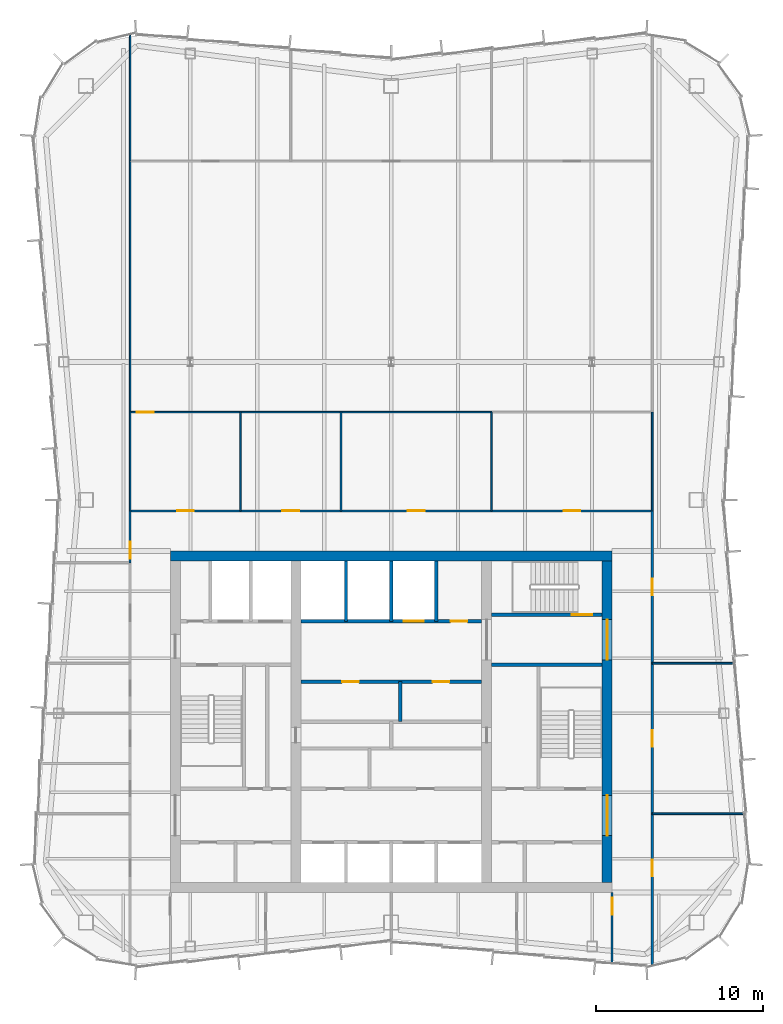
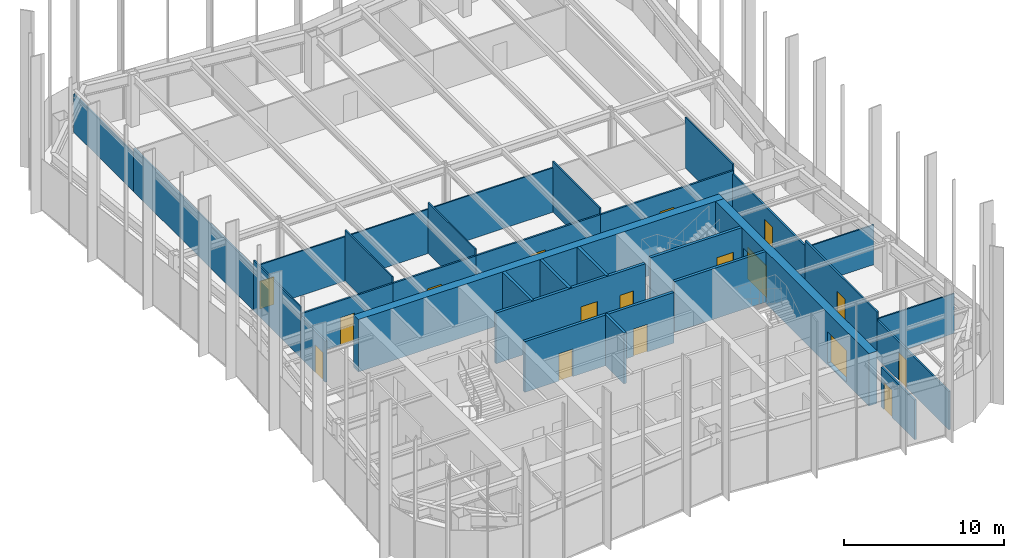
# One storey, part 11 of 13: 31 walls, 17 doors, 17 openings.
"""IFC4 building model written with IfcOpenShell, lengths in metres."""

from ifc_helpers import new_model, si_unit, direction, frame, frame_2d, origin, place, context, subcontext, project, spatial, rectangle, extrude, material, layer, layer_set, type_object, element, fill, save


model = new_model("IFC4")

# Units and contexts
model_context = context("Model", 3, precision=1e-05, world=origin(), true_north=direction((0.0, 1.0)))
body_context = subcontext(model_context, "Body", "Model", "MODEL_VIEW")
ifc_project = project(units=[si_unit("LENGTHUNIT", "METRE"), si_unit("AREAUNIT", "SQUARE_METRE"), si_unit("VOLUMEUNIT", "CUBIC_METRE"), si_unit("PLANEANGLEUNIT", "RADIAN"), si_unit("MASSUNIT", "GRAM", prefix="KILO")], contexts=[model_context])

# Site, building, storey
site_placement = place(None, origin())
site = spatial("IfcSite", under=ifc_project, at=site_placement, CompositionType="ELEMENT")
building_placement = place(site_placement, origin())
building = spatial("IfcBuilding", under=site, at=building_placement, Name="Verdant Reach Tower", CompositionType="ELEMENT")
storey_placement = place(building_placement, frame((0.0, 0.0, 318.0)))
storey = spatial("IfcBuildingStorey", under=building, at=storey_placement, Name="L73", CompositionType="ELEMENT", Elevation=318.0)

# Wall, openings, doors
ifc_material_1 = material(Name="Gypsum board on steel studs", Category="steel")
ifc_layer_1 = layer(ifc_material_1, 0.199951171875)
ifc_layer_set_1 = layer_set([ifc_layer_1], Name="CO-WALL-ROOM")
wall_type_1 = type_object("IfcWallType", Name="CO-WALL-ROOM", PredefinedType="PARTITIONING", material=ifc_layer_set_1)
wall_1_placement = place(storey_placement, frame((-5.39990234375, 30.39990234375, 0.0), z_axis=(0.0, 0.0, 1.0), x_axis=(1.0, 0.0, 0.0)))
wall_1 = element("IfcWall", 1, at=wall_1_placement, inside=storey, type_object=wall_type_1, Name="Core partition, L73", PredefinedType="PARTITIONING", context=body_context, shape_type="SweptSolid", body=[
    extrude(rectangle(XDim=10.7998046875, YDim=0.199951171875, at=frame_2d((5.39990234375, 0.0))), origin(), (0.0, 0.0, 1.0), 3.8701171875),
])
opening_1_placement = place(wall_1_placement, frame((2.469970703125, 0.0, 0.0)))
opening_1 = element("IfcOpeningElement", 2, at=opening_1_placement, cuts=wall_1, Name="Opening CD", PredefinedType="OPENING", context=body_context, shape_type="SweptSolid", body=[
    extrude(rectangle(XDim=1.0, YDim=2.10009765625, at=frame_2d((0.5, 1.050048828125))), frame((0.0, 0.10986328125, 0.0), z_axis=(0.0, -1.0, 0.0), x_axis=(1.0, 0.0, 0.0)), (0.0, 0.0, 1.0), 0.219970703125),
])
opening_2_placement = place(wall_1_placement, frame((7.8701171875, 0.0, 0.0)))
opening_2 = element("IfcOpeningElement", 3, at=opening_2_placement, cuts=wall_1, Name="Opening CD", PredefinedType="OPENING", context=body_context, shape_type="SweptSolid", body=[
    extrude(rectangle(XDim=1.0, YDim=2.10009765625, at=frame_2d((0.5, 1.050048828125))), frame((0.0, 0.10986328125, 0.0), z_axis=(0.0, -1.0, 0.0), x_axis=(1.0, 0.0, 0.0)), (0.0, 0.0, 1.0), 0.219970703125),
])
ifc_material_2 = material(Name="Timber", Category="wood")
door_type_1 = type_object("IfcDoorType", Name="CO-DOOR-ROOM", OperationType="NOTDEFINED", PredefinedType="DOOR", material=ifc_material_2)
door_1_placement = place(opening_1_placement, origin())
door_1 = element("IfcDoor", 4, at=door_1_placement, inside=storey, type_object=door_type_1, Name="Core room door, L73", OperationType="SINGLE_SWING_RIGHT", OverallHeight=2.10009765625, OverallWidth=1.0, PredefinedType="DOOR", context=body_context, shape_type="SweptSolid", body=[
    extrude(rectangle(XDim=1.0, YDim=2.10009765625, at=frame_2d((0.5, 1.050048828125))), frame((0.0, 0.02490234375, 0.0), z_axis=(0.0, -1.0, 0.0), x_axis=(1.0, 0.0, 0.0)), (0.0, 0.0, 1.0), 0.050048828125),
])
fill(opening_1, door_1)
door_2_placement = place(opening_2_placement, origin())
door_2 = element("IfcDoor", 5, at=door_2_placement, inside=storey, type_object=door_type_1, Name="Core room door, L73", OperationType="SINGLE_SWING_LEFT", OverallHeight=2.10009765625, OverallWidth=1.0, PredefinedType="DOOR", context=body_context, shape_type="SweptSolid", body=[
    extrude(rectangle(XDim=1.0, YDim=2.10009765625, at=frame_2d((0.5, 1.050048828125))), frame((0.0, 0.02490234375, 0.0), z_axis=(0.0, -1.0, 0.0), x_axis=(1.0, 0.0, 0.0)), (0.0, 0.0, 1.0), 0.050048828125),
])
fill(opening_2, door_2)

# Wall
wall_2_placement = place(storey_placement, frame((0.5400390625, 28.0, 0.0), z_axis=(0.0, 0.0, 1.0), x_axis=(0.0, 1.0, 0.0)))
element("IfcWall", 6, at=wall_2_placement, inside=storey, type_object=wall_type_1, Name="Core partition, L73", PredefinedType="PARTITIONING", context=body_context, shape_type="SweptSolid", body=[
    extrude(rectangle(XDim=2.39990234375, YDim=0.199951171875, at=frame_2d((1.199951171875, 0.0))), origin(), (0.0, 0.0, 1.0), 3.8701171875),
])

# Wall, openings, doors
ifc_material_3 = material(Name="Concrete C40/50", Category="concrete")
ifc_layer_2 = layer(ifc_material_3, 0.199951171875)
ifc_layer_set_2 = layer_set([ifc_layer_2], Name="CO-WALL-SHAFT")
wall_type_2 = type_object("IfcWallType", Name="CO-WALL-SHAFT", PredefinedType="PARTITIONING", material=ifc_layer_set_2)
wall_3_placement = place(storey_placement, frame((-5.39990234375, 34.0, 0.0), z_axis=(0.0, 0.0, 1.0), x_axis=(1.0, 0.0, 0.0)))
wall_3 = element("IfcWall", 7, at=wall_3_placement, inside=storey, type_object=wall_type_2, Name="Lift shaft wall, L73", PredefinedType="PARTITIONING", context=body_context, shape_type="SweptSolid", body=[
    extrude(rectangle(XDim=10.7998046875, YDim=0.199951171875, at=frame_2d((5.39990234375, 0.0))), origin(), (0.0, 0.0, 1.0), 3.8701171875),
])
opening_3_placement = place(wall_3_placement, frame((6.14990234375, 0.0, 0.0)))
opening_3 = element("IfcOpeningElement", 8, at=opening_3_placement, cuts=wall_3, Name="Opening LD-SL1", PredefinedType="OPENING", context=body_context, shape_type="SweptSolid", body=[
    extrude(rectangle(XDim=1.199951171875, YDim=2.199951171875, at=frame_2d((0.60009765625, 1.10009765625))), frame((0.0, 0.10986328125, 0.0), z_axis=(0.0, -1.0, 0.0), x_axis=(1.0, 0.0, 0.0)), (0.0, 0.0, 1.0), 0.219970703125),
])
opening_4_placement = place(wall_3_placement, frame((8.949951171875, 0.0, 0.0)))
opening_4 = element("IfcOpeningElement", 9, at=opening_4_placement, cuts=wall_3, Name="Opening CD", PredefinedType="OPENING", context=body_context, shape_type="SweptSolid", body=[
    extrude(rectangle(XDim=1.0, YDim=2.10009765625, at=frame_2d((0.5, 1.050048828125))), frame((0.0, 0.10986328125, 0.0), z_axis=(0.0, -1.0, 0.0), x_axis=(1.0, 0.0, 0.0)), (0.0, 0.0, 1.0), 0.219970703125),
])
ifc_material_4 = material(Name="Stainless steel", Category="steel")
door_type_2 = type_object("IfcDoorType", Name="CO-DOOR-LANDING", OperationType="SLIDING_TO_LEFT", PredefinedType="DOOR", material=ifc_material_4)
door_3_placement = place(opening_3_placement, origin())
door_3 = element("IfcDoor", 10, at=door_3_placement, inside=storey, type_object=door_type_2, Name="Landing door SL1, L73", OperationType="SLIDING_TO_LEFT", OverallHeight=2.199951171875, OverallWidth=1.199951171875, PredefinedType="DOOR", context=body_context, shape_type="SweptSolid", body=[
    extrude(rectangle(XDim=1.199951171875, YDim=2.199951171875, at=frame_2d((0.60009765625, 1.10009765625))), frame((0.0, 0.02490234375, 0.0), z_axis=(0.0, -1.0, 0.0), x_axis=(1.0, 0.0, 0.0)), (0.0, 0.0, 1.0), 0.050048828125),
])
fill(opening_3, door_3)
door_4_placement = place(opening_4_placement, origin())
door_4 = element("IfcDoor", 11, at=door_4_placement, inside=storey, type_object=door_type_1, Name="Core room door, L73", OperationType="SINGLE_SWING_LEFT", OverallHeight=2.10009765625, OverallWidth=1.0, PredefinedType="DOOR", context=body_context, shape_type="SweptSolid", body=[
    extrude(rectangle(XDim=1.0, YDim=2.10009765625, at=frame_2d((0.5, 1.050048828125))), frame((0.0, 0.02490234375, 0.0), z_axis=(0.0, -1.0, 0.0), x_axis=(1.0, 0.0, 0.0)), (0.0, 0.0, 1.0), 0.050048828125),
])
fill(opening_4, door_4)

# Walls
for number, where, z_axis, x_axis, name in (
    (12, (-2.699951171875, 34.0, 0.0), (0.0, 0.0, 1.0), (0.0, 1.0, 0.0), "Lift shaft wall, L73"),
    (13, (0.0, 34.0, 0.0), (0.0, 0.0, 1.0), (0.0, 1.0, 0.0), "Lift shaft wall, L73"),
    (14, (2.699951171875, 34.0, 0.0), (0.0, 0.0, 1.0), (0.0, 1.0, 0.0), "Lift shaft wall, L73"),
):
    element("IfcWall", number, at=place(storey_placement, frame(where, z_axis=z_axis, x_axis=x_axis)), inside=storey, type_object=wall_type_2, Name=name, PredefinedType="PARTITIONING", context=body_context, shape_type="SweptSolid", body=[
        extrude(rectangle(XDim=3.60009765625, YDim=0.199951171875, at=frame_2d((1.800048828125, 0.0))), origin(), (0.0, 0.0, 1.0), 3.8701171875),
    ])
ifc_layer_3 = layer(ifc_material_3, 0.199951171875)
ifc_layer_set_3 = layer_set([ifc_layer_3], Name="CO-WALL-STAIR")
wall_type_3 = type_object("IfcWallType", Name="CO-WALL-STAIR", PredefinedType="PARTITIONING", material=ifc_layer_set_3)
wall_4_placement = place(storey_placement, frame((6.0, 31.39990234375, 0.0), z_axis=(0.0, 0.0, 1.0), x_axis=(1.0, 0.0, 0.0)))
element("IfcWall", 15, at=wall_4_placement, inside=storey, type_object=wall_type_3, Name="Stair enclosure wall, L73", PredefinedType="PARTITIONING", context=body_context, shape_type="SweptSolid", body=[
    extrude(rectangle(XDim=6.60009765625, YDim=0.199951171875, at=frame_2d((3.300048828125, 0.0))), origin(), (0.0, 0.0, 1.0), 3.8701171875),
])

# Wall, opening, door
wall_5_placement = place(storey_placement, frame((6.0, 34.39990234375, 0.0), z_axis=(0.0, 0.0, 1.0), x_axis=(1.0, 0.0, 0.0)))
wall_5 = element("IfcWall", 16, at=wall_5_placement, inside=storey, type_object=wall_type_3, Name="Stair enclosure wall, L73", PredefinedType="PARTITIONING", context=body_context, shape_type="SweptSolid", body=[
    extrude(rectangle(XDim=6.60009765625, YDim=0.199951171875, at=frame_2d((3.300048828125, 0.0))), origin(), (0.0, 0.0, 1.0), 3.8701171875),
])
opening_5_placement = place(wall_5_placement, frame((4.800048828125, 0.0, 0.0)))
opening_5 = element("IfcOpeningElement", 17, at=opening_5_placement, cuts=wall_5, Name="Opening SD", PredefinedType="OPENING", context=body_context, shape_type="SweptSolid", body=[
    extrude(rectangle(XDim=1.199951171875, YDim=2.199951171875, at=frame_2d((0.60009765625, 1.10009765625))), frame((0.0, 0.10986328125, 0.0), z_axis=(0.0, -1.0, 0.0), x_axis=(1.0, 0.0, 0.0)), (0.0, 0.0, 1.0), 0.219970703125),
])
ifc_material_5 = material(Name="Steel", Category="steel")
door_type_3 = type_object("IfcDoorType", Name="CO-DOOR-STAIR", OperationType="NOTDEFINED", PredefinedType="DOOR", material=ifc_material_5)
door_5_placement = place(opening_5_placement, origin())
door_5 = element("IfcDoor", 18, at=door_5_placement, inside=storey, type_object=door_type_3, Name="Stair door, L73", OperationType="SINGLE_SWING_RIGHT", OverallHeight=2.199951171875, OverallWidth=1.199951171875, PredefinedType="DOOR", context=body_context, shape_type="SweptSolid", body=[
    extrude(rectangle(XDim=1.199951171875, YDim=2.199951171875, at=frame_2d((0.60009765625, 1.10009765625))), frame((0.0, 0.02490234375, 0.0), z_axis=(0.0, -1.0, 0.0), x_axis=(1.0, 0.0, 0.0)), (0.0, 0.0, 1.0), 0.050048828125),
])
fill(opening_5, door_5)

# Walls
ifc_layer_4 = layer(ifc_material_1, 0.10009765625)
ifc_layer_set_4 = layer_set([ifc_layer_4], Name="FL-W1 Partition 100")
wall_type_4 = type_object("IfcWallType", Name="FL-W1 Partition 100", PredefinedType="PARTITIONING", material=ifc_layer_set_4)
wall_6_placement = place(storey_placement, frame((-15.60009765625, 40.60009765625, 0.0), z_axis=(0.0, 0.0, 1.0), x_axis=(0.0, 1.0, 0.0)))
element("IfcWall", 19, at=wall_6_placement, inside=storey, type_object=wall_type_4, Name="Partition 73.21", PredefinedType="PARTITIONING", context=body_context, shape_type="SweptSolid", body=[
    extrude(rectangle(XDim=5.89990234375, YDim=0.10009765625, at=frame_2d((2.949951171875, 0.0))), origin(), (0.0, 0.0, 1.0), 3.8701171875),
])
wall_7_placement = place(storey_placement, frame((-15.60009765625, 46.5, 0.0), z_axis=(0.0, 0.0, 1.0), x_axis=(0.0, 1.0, 0.0)))
element("IfcWall", 20, at=wall_7_placement, inside=storey, type_object=wall_type_4, Name="Partition 73.22", PredefinedType="PARTITIONING", context=body_context, shape_type="SweptSolid", body=[
    extrude(rectangle(XDim=15.0, YDim=0.10009765625, at=frame_2d((7.5, 0.0))), origin(), (0.0, 0.0, 1.0), 3.35009765625),
])
wall_8_placement = place(storey_placement, frame((-15.60009765625, 61.5, 0.0), z_axis=(0.0, 0.0, 1.0), x_axis=(0.0, 1.0, 0.0)))
element("IfcWall", 21, at=wall_8_placement, inside=storey, type_object=wall_type_4, Name="Partition 73.23", PredefinedType="PARTITIONING", context=body_context, shape_type="SweptSolid", body=[
    extrude(rectangle(XDim=7.510498046875, YDim=0.10009765625, at=frame_2d((3.75537109375, 0.0))), origin(), (0.0, 0.0, 1.0), 2.929931640625),
])
wall_9_placement = place(storey_placement, frame((21.123046875, 22.5, 0.0), z_axis=(0.0, 0.0, 1.0), x_axis=(-1.0, 0.0, 0.0)))
element("IfcWall", 22, at=wall_9_placement, inside=storey, type_object=wall_type_4, Name="Partition 73.24", PredefinedType="PARTITIONING", context=body_context, shape_type="SweptSolid", body=[
    extrude(rectangle(XDim=5.52294921875, YDim=0.10009765625, at=frame_2d((2.761474609375, 0.0))), origin(), (0.0, 0.0, 1.0), 3.0400390625),
])
wall_10_placement = place(storey_placement, frame((20.50244140625, 31.5, 0.0), z_axis=(0.0, 0.0, 1.0), x_axis=(-1.0, 0.0, 0.0)))
element("IfcWall", 23, at=wall_10_placement, inside=storey, type_object=wall_type_4, Name="Partition 73.25", PredefinedType="PARTITIONING", context=body_context, shape_type="SweptSolid", body=[
    extrude(rectangle(XDim=4.90234375, YDim=0.10009765625, at=frame_2d((2.451171875, 0.0))), origin(), (0.0, 0.0, 1.0), 3.0400390625),
])
for number, where, z_axis, x_axis, name in (
    (24, (15.60009765625, 46.5, 0.0), (0.0, 0.0, 1.0), (0.0, -1.0, 0.0), "Partition 73.26"),
    (25, (-9.0, 40.60009765625, 0.0), (0.0, 0.0, 1.0), (0.0, 1.0, 0.0), "Partition 73.32"),
):
    element("IfcWall", number, at=place(storey_placement, frame(where, z_axis=z_axis, x_axis=x_axis)), inside=storey, type_object=wall_type_4, Name=name, PredefinedType="PARTITIONING", context=body_context, shape_type="SweptSolid", body=[
        extrude(rectangle(XDim=5.89990234375, YDim=0.10009765625, at=frame_2d((2.949951171875, 0.0))), origin(), (0.0, 0.0, 1.0), 3.8701171875),
    ])

# Wall, opening, door
wall_11_placement = place(storey_placement, frame((-15.60009765625, 46.5, 0.0), z_axis=(0.0, 0.0, 1.0), x_axis=(1.0, 0.0, 0.0)))
wall_11 = element("IfcWall", 26, at=wall_11_placement, inside=storey, type_object=wall_type_4, Name="Partition 73.33", PredefinedType="PARTITIONING", context=body_context, shape_type="SweptSolid", body=[
    extrude(rectangle(XDim=6.60400390625, YDim=0.10009765625, at=frame_2d((3.302001953125, 0.0))), origin(), (0.0, 0.0, 1.0), 3.389892578125),
])
opening_6_placement = place(wall_11_placement, frame((0.402099609375, 0.0, 0.0)))
opening_6 = element("IfcOpeningElement", 27, at=opening_6_placement, cuts=wall_11, Name="Opening D3", PredefinedType="OPENING", context=body_context, shape_type="SweptSolid", body=[
    extrude(rectangle(XDim=1.0, YDim=2.10009765625, at=frame_2d((0.5, 1.050048828125))), frame((0.0, 0.06005859375, 0.0), z_axis=(0.0, -1.0, 0.0), x_axis=(1.0, 0.0, 0.0)), (0.0, 0.0, 1.0), 0.1201171875),
])
ifc_material_6 = material(Name="Painted timber door leaf", Category="wood")
door_type_4 = type_object("IfcDoorType", Name="FL-D3 Door 1000x2100", OperationType="NOTDEFINED", PredefinedType="DOOR", material=ifc_material_6)
door_6_placement = place(opening_6_placement, origin())
door_6 = element("IfcDoor", 28, at=door_6_placement, inside=storey, type_object=door_type_4, Name="Door 73-018", OperationType="SINGLE_SWING_LEFT", OverallHeight=2.10009765625, OverallWidth=1.0, PredefinedType="DOOR", context=body_context, shape_type="SweptSolid", body=[
    extrude(rectangle(XDim=1.0, YDim=2.10009765625, at=frame_2d((0.5, 1.050048828125))), frame((0.0, 0.02490234375, 0.0), z_axis=(0.0, -1.0, 0.0), x_axis=(1.0, 0.0, 0.0)), (0.0, 0.0, 1.0), 0.050048828125),
])
fill(opening_6, door_6)

# Walls
wall_12_placement = place(storey_placement, frame((-3.0, 40.60009765625, 0.0), z_axis=(0.0, 0.0, 1.0), x_axis=(0.0, 1.0, 0.0)))
element("IfcWall", 29, at=wall_12_placement, inside=storey, type_object=wall_type_4, Name="Partition 73.34", PredefinedType="PARTITIONING", context=body_context, shape_type="SweptSolid", body=[
    extrude(rectangle(XDim=5.89990234375, YDim=0.10009765625, at=frame_2d((2.949951171875, 0.0))), origin(), (0.0, 0.0, 1.0), 3.8701171875),
])
wall_13_placement = place(storey_placement, frame((-2.99609375, 46.5, 0.0), z_axis=(0.0, 0.0, 1.0), x_axis=(-1.0, 0.0, 0.0)))
element("IfcWall", 30, at=wall_13_placement, inside=storey, type_object=wall_type_4, Name="Partition 73.35", PredefinedType="PARTITIONING", context=body_context, shape_type="SweptSolid", body=[
    extrude(rectangle(XDim=6.0078125, YDim=0.10009765625, at=frame_2d((3.00390625, 0.0))), origin(), (0.0, 0.0, 1.0), 3.389892578125),
])
wall_14_placement = place(storey_placement, frame((6.0, 40.60009765625, 0.0), z_axis=(0.0, 0.0, 1.0), x_axis=(0.0, 1.0, 0.0)))
element("IfcWall", 31, at=wall_14_placement, inside=storey, type_object=wall_type_4, Name="Partition 73.36", PredefinedType="PARTITIONING", context=body_context, shape_type="SweptSolid", body=[
    extrude(rectangle(XDim=5.89990234375, YDim=0.10009765625, at=frame_2d((2.949951171875, 0.0))), origin(), (0.0, 0.0, 1.0), 3.8701171875),
])
wall_15_placement = place(storey_placement, frame((6.00390625, 46.5, 0.0), z_axis=(0.0, 0.0, 1.0), x_axis=(-1.0, 0.0, 0.0)))
element("IfcWall", 32, at=wall_15_placement, inside=storey, type_object=wall_type_4, Name="Partition 73.37", PredefinedType="PARTITIONING", context=body_context, shape_type="SweptSolid", body=[
    extrude(rectangle(XDim=9.0078125, YDim=0.10009765625, at=frame_2d((4.50390625, 0.0))), origin(), (0.0, 0.0, 1.0), 3.389892578125),
])

# Wall, opening, door
ifc_material_7 = material(Name="Gypsum board on steel studs, fire rated", Category="steel")
ifc_layer_5 = layer(ifc_material_7, 0.125)
ifc_layer_set_5 = layer_set([ifc_layer_5], Name="FL-W2 Corridor wall 125")
wall_type_5 = type_object("IfcWallType", Name="FL-W2 Corridor wall 125", PredefinedType="PARTITIONING", material=ifc_layer_set_5)
wall_16_placement = place(storey_placement, frame((-15.60009765625, 37.5, 0.0), z_axis=(0.0, 0.0, 1.0), x_axis=(0.0, 1.0, 0.0)))
wall_16 = element("IfcWall", 33, at=wall_16_placement, inside=storey, type_object=wall_type_5, Name="Partition 73.06", PredefinedType="PARTITIONING", context=body_context, shape_type="SweptSolid", body=[
    extrude(rectangle(XDim=3.10400390625, YDim=0.125, at=frame_2d((1.552001953125, 0.0))), origin(), (0.0, 0.0, 1.0), 3.139892578125),
])
opening_7_placement = place(wall_16_placement, frame((0.251953125, 0.0, 0.0)))
opening_7 = element("IfcOpeningElement", 34, at=opening_7_placement, cuts=wall_16, Name="Opening D2", PredefinedType="OPENING", context=body_context, shape_type="SweptSolid", body=[
    extrude(rectangle(XDim=1.0, YDim=2.10009765625, at=frame_2d((0.5, 1.050048828125))), frame((0.0, 0.072509765625, 0.0), z_axis=(0.0, -1.0, 0.0), x_axis=(1.0, 0.0, 0.0)), (0.0, 0.0, 1.0), 0.14501953125),
])
ifc_material_8 = material(Name="Timber door leaf, fire rated", Category="wood")
door_type_5 = type_object("IfcDoorType", Name="FL-D2 Entrance door 1000x2100 FD30", OperationType="NOTDEFINED", PredefinedType="DOOR", material=ifc_material_8)
door_7_placement = place(opening_7_placement, origin())
door_7 = element("IfcDoor", 35, at=door_7_placement, inside=storey, type_object=door_type_5, Name="Door 73-006", OperationType="SINGLE_SWING_LEFT", OverallHeight=2.10009765625, OverallWidth=1.0, PredefinedType="DOOR", context=body_context, shape_type="SweptSolid", body=[
    extrude(rectangle(XDim=1.0, YDim=2.10009765625, at=frame_2d((0.5, 1.050048828125))), frame((0.0, 0.02490234375, 0.0), z_axis=(0.0, -1.0, 0.0), x_axis=(1.0, 0.0, 0.0)), (0.0, 0.0, 1.0), 0.050048828125),
])
fill(opening_7, door_7)

wall_17_placement = place(storey_placement, frame((15.60009765625, 22.5, 0.0), z_axis=(0.0, 0.0, 1.0), x_axis=(0.0, -1.0, 0.0)))
wall_17 = element("IfcWall", 36, at=wall_17_placement, inside=storey, type_object=wall_type_5, Name="Partition 73.07", PredefinedType="PARTITIONING", context=body_context, shape_type="SweptSolid", body=[
    extrude(rectangle(XDim=9.010498046875, YDim=0.125, at=frame_2d((4.50537109375, 0.0))), origin(), (0.0, 0.0, 1.0), 2.929931640625),
])
opening_8_placement = place(wall_17_placement, frame((2.73974609375, 0.0, 0.0)))
opening_8 = element("IfcOpeningElement", 37, at=opening_8_placement, cuts=wall_17, Name="Opening D2", PredefinedType="OPENING", context=body_context, shape_type="SweptSolid", body=[
    extrude(rectangle(XDim=1.0, YDim=2.10009765625, at=frame_2d((0.5, 1.050048828125))), frame((0.0, 0.072509765625, 0.0), z_axis=(0.0, -1.0, 0.0), x_axis=(1.0, 0.0, 0.0)), (0.0, 0.0, 1.0), 0.14501953125),
])
door_8_placement = place(opening_8_placement, origin())
door_8 = element("IfcDoor", 38, at=door_8_placement, inside=storey, type_object=door_type_5, Name="Door 73-007", OperationType="SINGLE_SWING_LEFT", OverallHeight=2.10009765625, OverallWidth=1.0, PredefinedType="DOOR", context=body_context, shape_type="SweptSolid", body=[
    extrude(rectangle(XDim=1.0, YDim=2.10009765625, at=frame_2d((0.5, 1.050048828125))), frame((0.0, 0.02490234375, 0.0), z_axis=(0.0, -1.0, 0.0), x_axis=(1.0, 0.0, 0.0)), (0.0, 0.0, 1.0), 0.050048828125),
])
fill(opening_8, door_8)

wall_18_placement = place(storey_placement, frame((15.60009765625, 31.5, 0.0), z_axis=(0.0, 0.0, 1.0), x_axis=(0.0, -1.0, 0.0)))
wall_18 = element("IfcWall", 39, at=wall_18_placement, inside=storey, type_object=wall_type_5, Name="Partition 73.08", PredefinedType="PARTITIONING", context=body_context, shape_type="SweptSolid", body=[
    extrude(rectangle(XDim=9.0, YDim=0.125, at=frame_2d((4.5, 0.0))), origin(), (0.0, 0.0, 1.0), 3.5400390625),
])
opening_9_placement = place(wall_18_placement, frame((4.0, 0.0, 0.0)))
opening_9 = element("IfcOpeningElement", 40, at=opening_9_placement, cuts=wall_18, Name="Opening D2", PredefinedType="OPENING", context=body_context, shape_type="SweptSolid", body=[
    extrude(rectangle(XDim=1.0, YDim=2.10009765625, at=frame_2d((0.5, 1.050048828125))), frame((0.0, 0.072509765625, 0.0), z_axis=(0.0, -1.0, 0.0), x_axis=(1.0, 0.0, 0.0)), (0.0, 0.0, 1.0), 0.14501953125),
])
door_9_placement = place(opening_9_placement, origin())
door_9 = element("IfcDoor", 41, at=door_9_placement, inside=storey, type_object=door_type_5, Name="Door 73-008", OperationType="SINGLE_SWING_RIGHT", OverallHeight=2.10009765625, OverallWidth=1.0, PredefinedType="DOOR", context=body_context, shape_type="SweptSolid", body=[
    extrude(rectangle(XDim=1.0, YDim=2.10009765625, at=frame_2d((0.5, 1.050048828125))), frame((0.0, 0.02490234375, 0.0), z_axis=(0.0, -1.0, 0.0), x_axis=(1.0, 0.0, 0.0)), (0.0, 0.0, 1.0), 0.050048828125),
])
fill(opening_9, door_9)

wall_19_placement = place(storey_placement, frame((15.60009765625, 40.60400390625, 0.0), z_axis=(0.0, 0.0, 1.0), x_axis=(0.0, -1.0, 0.0)))
wall_19 = element("IfcWall", 42, at=wall_19_placement, inside=storey, type_object=wall_type_5, Name="Partition 73.09", PredefinedType="PARTITIONING", context=body_context, shape_type="SweptSolid", body=[
    extrude(rectangle(XDim=9.10400390625, YDim=0.125, at=frame_2d((4.552001953125, 0.0))), origin(), (0.0, 0.0, 1.0), 3.139892578125),
])
opening_10_placement = place(wall_19_placement, frame((4.052001953125, 0.0, 0.0)))
opening_10 = element("IfcOpeningElement", 43, at=opening_10_placement, cuts=wall_19, Name="Opening D2", PredefinedType="OPENING", context=body_context, shape_type="SweptSolid", body=[
    extrude(rectangle(XDim=1.0, YDim=2.10009765625, at=frame_2d((0.5, 1.050048828125))), frame((0.0, 0.072509765625, 0.0), z_axis=(0.0, -1.0, 0.0), x_axis=(1.0, 0.0, 0.0)), (0.0, 0.0, 1.0), 0.14501953125),
])
door_10_placement = place(opening_10_placement, origin())
door_10 = element("IfcDoor", 44, at=door_10_placement, inside=storey, type_object=door_type_5, Name="Door 73-009", OperationType="SINGLE_SWING_LEFT", OverallHeight=2.10009765625, OverallWidth=1.0, PredefinedType="DOOR", context=body_context, shape_type="SweptSolid", body=[
    extrude(rectangle(XDim=1.0, YDim=2.10009765625, at=frame_2d((0.5, 1.050048828125))), frame((0.0, 0.02490234375, 0.0), z_axis=(0.0, -1.0, 0.0), x_axis=(1.0, 0.0, 0.0)), (0.0, 0.0, 1.0), 0.050048828125),
])
fill(opening_10, door_10)

wall_20_placement = place(storey_placement, frame((13.199951171875, 13.62158203125, 0.0), z_axis=(0.0, 0.0, 1.0), x_axis=(0.0, 1.0, 0.0)))
wall_20 = element("IfcWall", 45, at=wall_20_placement, inside=storey, type_object=wall_type_5, Name="Partition 73.11", PredefinedType="PARTITIONING", context=body_context, shape_type="SweptSolid", body=[
    extrude(rectangle(XDim=4.178466796875, YDim=0.125, at=frame_2d((2.08935546875, 0.0))), origin(), (0.0, 0.0, 1.0), 3.0400390625),
])
opening_11_placement = place(wall_20_placement, frame((2.854248046875, 0.0, 0.0)))
opening_11 = element("IfcOpeningElement", 46, at=opening_11_placement, cuts=wall_20, Name="Opening D2", PredefinedType="OPENING", context=body_context, shape_type="SweptSolid", body=[
    extrude(rectangle(XDim=1.0, YDim=2.10009765625, at=frame_2d((0.5, 1.050048828125))), frame((0.0, 0.072509765625, 0.0), z_axis=(0.0, -1.0, 0.0), x_axis=(1.0, 0.0, 0.0)), (0.0, 0.0, 1.0), 0.14501953125),
])
door_11_placement = place(opening_11_placement, origin())
door_11 = element("IfcDoor", 47, at=door_11_placement, inside=storey, type_object=door_type_5, Name="Door 73-011", OperationType="SINGLE_SWING_RIGHT", OverallHeight=2.10009765625, OverallWidth=1.0, PredefinedType="DOOR", context=body_context, shape_type="SweptSolid", body=[
    extrude(rectangle(XDim=1.0, YDim=2.10009765625, at=frame_2d((0.5, 1.050048828125))), frame((0.0, 0.02490234375, 0.0), z_axis=(0.0, -1.0, 0.0), x_axis=(1.0, 0.0, 0.0)), (0.0, 0.0, 1.0), 0.050048828125),
])
fill(opening_11, door_11)

wall_21_placement = place(storey_placement, frame((-15.60009765625, 40.60009765625, 0.0), z_axis=(0.0, 0.0, 1.0), x_axis=(1.0, 0.0, 0.0)))
wall_21 = element("IfcWall", 48, at=wall_21_placement, inside=storey, type_object=wall_type_5, Name="Partition 73.12", PredefinedType="PARTITIONING", context=body_context, shape_type="SweptSolid", body=[
    extrude(rectangle(XDim=6.60009765625, YDim=0.125, at=frame_2d((3.300048828125, 0.0))), origin(), (0.0, 0.0, 1.0), 3.389892578125),
])
opening_12_placement = place(wall_21_placement, frame((2.800048828125, 0.0, 0.0)))
opening_12 = element("IfcOpeningElement", 49, at=opening_12_placement, cuts=wall_21, Name="Opening D2", PredefinedType="OPENING", context=body_context, shape_type="SweptSolid", body=[
    extrude(rectangle(XDim=1.0, YDim=2.10009765625, at=frame_2d((0.5, 1.050048828125))), frame((0.0, 0.072509765625, 0.0), z_axis=(0.0, -1.0, 0.0), x_axis=(1.0, 0.0, 0.0)), (0.0, 0.0, 1.0), 0.14501953125),
])
door_12_placement = place(opening_12_placement, origin())
door_12 = element("IfcDoor", 50, at=door_12_placement, inside=storey, type_object=door_type_5, Name="Door 73-012", OperationType="SINGLE_SWING_RIGHT", OverallHeight=2.10009765625, OverallWidth=1.0, PredefinedType="DOOR", context=body_context, shape_type="SweptSolid", body=[
    extrude(rectangle(XDim=1.0, YDim=2.10009765625, at=frame_2d((0.5, 1.050048828125))), frame((0.0, 0.02490234375, 0.0), z_axis=(0.0, -1.0, 0.0), x_axis=(1.0, 0.0, 0.0)), (0.0, 0.0, 1.0), 0.050048828125),
])
fill(opening_12, door_12)

wall_22_placement = place(storey_placement, frame((-9.0, 40.60009765625, 0.0), z_axis=(0.0, 0.0, 1.0), x_axis=(1.0, 0.0, 0.0)))
wall_22 = element("IfcWall", 51, at=wall_22_placement, inside=storey, type_object=wall_type_5, Name="Partition 73.13", PredefinedType="PARTITIONING", context=body_context, shape_type="SweptSolid", body=[
    extrude(rectangle(XDim=6.0, YDim=0.125, at=frame_2d((3.0, 0.0))), origin(), (0.0, 0.0, 1.0), 3.389892578125),
])
opening_13_placement = place(wall_22_placement, frame((2.5, 0.0, 0.0)))
opening_13 = element("IfcOpeningElement", 52, at=opening_13_placement, cuts=wall_22, Name="Opening D2", PredefinedType="OPENING", context=body_context, shape_type="SweptSolid", body=[
    extrude(rectangle(XDim=1.0, YDim=2.10009765625, at=frame_2d((0.5, 1.050048828125))), frame((0.0, 0.072509765625, 0.0), z_axis=(0.0, -1.0, 0.0), x_axis=(1.0, 0.0, 0.0)), (0.0, 0.0, 1.0), 0.14501953125),
])
door_13_placement = place(opening_13_placement, origin())
door_13 = element("IfcDoor", 53, at=door_13_placement, inside=storey, type_object=door_type_5, Name="Door 73-013", OperationType="SINGLE_SWING_LEFT", OverallHeight=2.10009765625, OverallWidth=1.0, PredefinedType="DOOR", context=body_context, shape_type="SweptSolid", body=[
    extrude(rectangle(XDim=1.0, YDim=2.10009765625, at=frame_2d((0.5, 1.050048828125))), frame((0.0, 0.02490234375, 0.0), z_axis=(0.0, -1.0, 0.0), x_axis=(1.0, 0.0, 0.0)), (0.0, 0.0, 1.0), 0.050048828125),
])
fill(opening_13, door_13)

wall_23_placement = place(storey_placement, frame((-3.0, 40.60009765625, 0.0), z_axis=(0.0, 0.0, 1.0), x_axis=(1.0, 0.0, 0.0)))
wall_23 = element("IfcWall", 54, at=wall_23_placement, inside=storey, type_object=wall_type_5, Name="Partition 73.14", PredefinedType="PARTITIONING", context=body_context, shape_type="SweptSolid", body=[
    extrude(rectangle(XDim=9.0, YDim=0.125, at=frame_2d((4.5, 0.0))), origin(), (0.0, 0.0, 1.0), 3.389892578125),
])
opening_14_placement = place(wall_23_placement, frame((4.0, 0.0, 0.0)))
opening_14 = element("IfcOpeningElement", 55, at=opening_14_placement, cuts=wall_23, Name="Opening D2", PredefinedType="OPENING", context=body_context, shape_type="SweptSolid", body=[
    extrude(rectangle(XDim=1.0, YDim=2.10009765625, at=frame_2d((0.5, 1.050048828125))), frame((0.0, 0.072509765625, 0.0), z_axis=(0.0, -1.0, 0.0), x_axis=(1.0, 0.0, 0.0)), (0.0, 0.0, 1.0), 0.14501953125),
])
door_14_placement = place(opening_14_placement, origin())
door_14 = element("IfcDoor", 56, at=door_14_placement, inside=storey, type_object=door_type_5, Name="Door 73-014", OperationType="SINGLE_SWING_RIGHT", OverallHeight=2.10009765625, OverallWidth=1.0, PredefinedType="DOOR", context=body_context, shape_type="SweptSolid", body=[
    extrude(rectangle(XDim=1.0, YDim=2.10009765625, at=frame_2d((0.5, 1.050048828125))), frame((0.0, 0.02490234375, 0.0), z_axis=(0.0, -1.0, 0.0), x_axis=(1.0, 0.0, 0.0)), (0.0, 0.0, 1.0), 0.050048828125),
])
fill(opening_14, door_14)

wall_24_placement = place(storey_placement, frame((6.0, 40.60009765625, 0.0), z_axis=(0.0, 0.0, 1.0), x_axis=(1.0, 0.0, 0.0)))
wall_24 = element("IfcWall", 57, at=wall_24_placement, inside=storey, type_object=wall_type_5, Name="Partition 73.15", PredefinedType="PARTITIONING", context=body_context, shape_type="SweptSolid", body=[
    extrude(rectangle(XDim=9.60009765625, YDim=0.125, at=frame_2d((4.800048828125, 0.0))), origin(), (0.0, 0.0, 1.0), 3.389892578125),
])
opening_15_placement = place(wall_24_placement, frame((4.300048828125, 0.0, 0.0)))
opening_15 = element("IfcOpeningElement", 58, at=opening_15_placement, cuts=wall_24, Name="Opening D2", PredefinedType="OPENING", context=body_context, shape_type="SweptSolid", body=[
    extrude(rectangle(XDim=1.0, YDim=2.10009765625, at=frame_2d((0.5, 1.050048828125))), frame((0.0, 0.072509765625, 0.0), z_axis=(0.0, -1.0, 0.0), x_axis=(1.0, 0.0, 0.0)), (0.0, 0.0, 1.0), 0.14501953125),
])
door_15_placement = place(opening_15_placement, origin())
door_15 = element("IfcDoor", 59, at=door_15_placement, inside=storey, type_object=door_type_5, Name="Door 73-015", OperationType="SINGLE_SWING_LEFT", OverallHeight=2.10009765625, OverallWidth=1.0, PredefinedType="DOOR", context=body_context, shape_type="SweptSolid", body=[
    extrude(rectangle(XDim=1.0, YDim=2.10009765625, at=frame_2d((0.5, 1.050048828125))), frame((0.0, 0.02490234375, 0.0), z_axis=(0.0, -1.0, 0.0), x_axis=(1.0, 0.0, 0.0)), (0.0, 0.0, 1.0), 0.050048828125),
])
fill(opening_15, door_15)

# Wall
ifc_material_9 = material(Name="Concrete C70/85", Category="concrete")
ifc_layer_6 = layer(ifc_material_9, 0.60009765625)
ifc_layer_set_6 = layer_set([ifc_layer_6], Name="ST-CORE-WALL-600")
wall_type_6 = type_object("IfcWallType", Name="ST-CORE-WALL-600", PredefinedType="SHEAR", material=ifc_layer_set_6)
wall_25_placement = place(storey_placement, frame((-13.199951171875, 37.89990234375, -0.1298828125), z_axis=(0.0, 0.0, 1.0), x_axis=(1.0, 0.0, 0.0)))
element("IfcWall", 60, at=wall_25_placement, inside=storey, type_object=wall_type_6, Name="Core wall N, L73", PredefinedType="SHEAR", context=body_context, shape_type="SweptSolid", body=[
    extrude(rectangle(XDim=26.39990234375, YDim=0.60009765625, at=frame_2d((13.199951171875, 0.0))), origin(), (0.0, 0.0, 1.0), 4.0),
])

# Wall, openings, doors
wall_26_placement = place(storey_placement, frame((12.89990234375, 18.39990234375, -0.1298828125), z_axis=(0.0, 0.0, 1.0), x_axis=(0.0, 1.0, 0.0)))
wall_26 = element("IfcWall", 61, at=wall_26_placement, inside=storey, type_object=wall_type_6, Name="Core wall E, L73", PredefinedType="SHEAR", context=body_context, shape_type="SweptSolid", body=[
    extrude(rectangle(XDim=19.2001953125, YDim=0.60009765625, at=frame_2d((9.60009765625, 0.0))), origin(), (0.0, 0.0, 1.0), 4.0),
])
opening_16_placement = place(wall_26_placement, frame((2.800048828125, 0.0, 0.1298828125)))
opening_16 = element("IfcOpeningElement", 62, at=opening_16_placement, cuts=wall_26, Name="Opening LB", PredefinedType="OPENING", context=body_context, shape_type="SweptSolid", body=[
    extrude(rectangle(XDim=2.39990234375, YDim=2.39990234375, at=frame_2d((1.199951171875, 1.199951171875))), frame((0.0, 0.31005859375, 0.0), z_axis=(0.0, -1.0, 0.0), x_axis=(1.0, 0.0, 0.0)), (0.0, 0.0, 1.0), 0.6201171875),
])
opening_17_placement = place(wall_26_placement, frame((13.300048828125, 0.0, 0.1298828125)))
opening_17 = element("IfcOpeningElement", 63, at=opening_17_placement, cuts=wall_26, Name="Opening LB", PredefinedType="OPENING", context=body_context, shape_type="SweptSolid", body=[
    extrude(rectangle(XDim=2.39990234375, YDim=2.39990234375, at=frame_2d((1.199951171875, 1.199951171875))), frame((0.0, 0.31005859375, 0.0), z_axis=(0.0, -1.0, 0.0), x_axis=(1.0, 0.0, 0.0)), (0.0, 0.0, 1.0), 0.6201171875),
])
ifc_material_10 = material(Name="Glass and steel", Category="steel")
door_type_6 = type_object("IfcDoorType", Name="CO-DOOR-LOBBY", OperationType="DOUBLE_DOOR_SINGLE_SWING", PredefinedType="DOOR", material=ifc_material_10)
door_16_placement = place(opening_16_placement, origin())
door_16 = element("IfcDoor", 64, at=door_16_placement, inside=storey, type_object=door_type_6, Name="Core entrance door, L73", OperationType="DOUBLE_DOOR_SINGLE_SWING", OverallHeight=2.39990234375, OverallWidth=2.39990234375, PredefinedType="DOOR", context=body_context, shape_type="SweptSolid", body=[
    extrude(rectangle(XDim=2.39990234375, YDim=2.39990234375, at=frame_2d((1.199951171875, 1.199951171875))), frame((0.0, 0.02490234375, 0.0), z_axis=(0.0, -1.0, 0.0), x_axis=(1.0, 0.0, 0.0)), (0.0, 0.0, 1.0), 0.050048828125),
])
fill(opening_16, door_16)
door_17_placement = place(opening_17_placement, origin())
door_17 = element("IfcDoor", 65, at=door_17_placement, inside=storey, type_object=door_type_6, Name="Core entrance door, L73", OperationType="DOUBLE_DOOR_SINGLE_SWING", OverallHeight=2.39990234375, OverallWidth=2.39990234375, PredefinedType="DOOR", context=body_context, shape_type="SweptSolid", body=[
    extrude(rectangle(XDim=2.39990234375, YDim=2.39990234375, at=frame_2d((1.199951171875, 1.199951171875))), frame((0.0, 0.02490234375, 0.0), z_axis=(0.0, -1.0, 0.0), x_axis=(1.0, 0.0, 0.0)), (0.0, 0.0, 1.0), 0.050048828125),
])
fill(opening_17, door_17)

save(model, "model.ifc")
